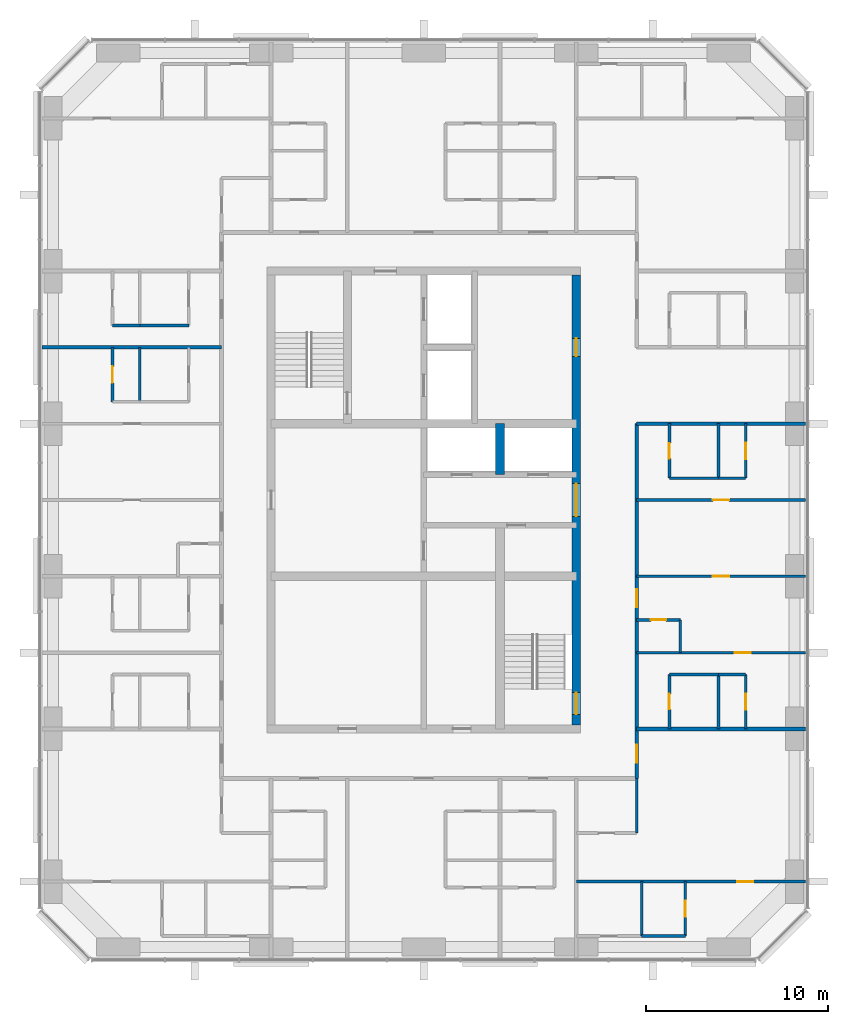
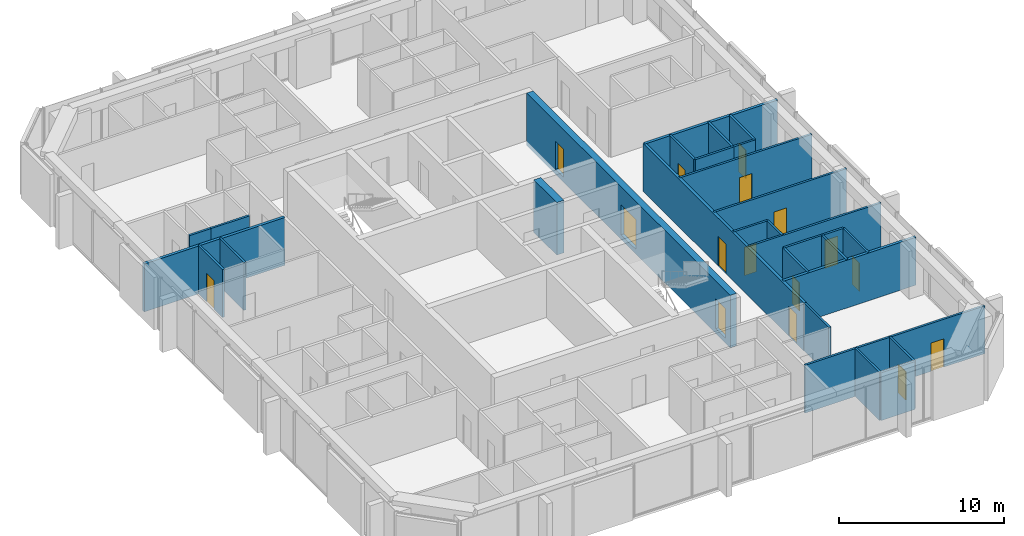
# One storey, part 9 of 12: 30 walls, 16 doors, 16 openings.
"""IFC4 building model written with IfcOpenShell, lengths in metres."""

from ifc_helpers import new_model, si_unit, direction, frame, frame_2d, origin, place, context, subcontext, project, spatial, rectangle, extrude, material, layer, layer_set, type_object, element, fill, save


model = new_model("IFC4")

# Units and contexts
model_context = context("Model", 3, precision=1e-05, world=origin(), true_north=direction((0.0, 1.0)))
body_context = subcontext(model_context, "Body", "Model", "MODEL_VIEW")
ifc_project = project(units=[si_unit("LENGTHUNIT", "METRE"), si_unit("AREAUNIT", "SQUARE_METRE"), si_unit("VOLUMEUNIT", "CUBIC_METRE"), si_unit("PLANEANGLEUNIT", "RADIAN"), si_unit("MASSUNIT", "GRAM", prefix="KILO")], contexts=[model_context])

# Site, building, storey
site_placement = place(None, origin())
site = spatial("IfcSite", under=ifc_project, at=site_placement, CompositionType="ELEMENT")
building_placement = place(site_placement, origin())
building = spatial("IfcBuilding", under=site, at=building_placement, Name="Dunama Terrace Hotel", CompositionType="ELEMENT")
storey_placement = place(building_placement, frame((0.0, 0.0, 264.60009765625)))
storey = spatial("IfcBuildingStorey", under=building, at=storey_placement, Name="L68", CompositionType="ELEMENT", Elevation=264.60009765625)

# Wall
ifc_material_1 = material(Name="Gypsum board partition", Category="masonry")
ifc_layer_1 = layer(ifc_material_1, 0.14990234375)
ifc_layer_set_1 = layer_set([ifc_layer_1], Name="Bathroom partition 150")
wall_type_1 = type_object("IfcWallType", Name="Bathroom partition 150", PredefinedType="PARTITIONING", material=ifc_layer_set_1)
wall_1_placement = place(storey_placement, frame((45.324951171875, 11.074951171875, 0.0), z_axis=(0.0, 0.0, 1.0), x_axis=(0.0, 1.0, 0.0)))
element("IfcWall", 1, at=wall_1_placement, inside=storey, type_object=wall_type_1, Name="Bathroom partition 150 L68", PredefinedType="PARTITIONING", context=body_context, shape_type="SweptSolid", body=[
    extrude(rectangle(XDim=3.0, YDim=0.14990234375, at=frame_2d((1.5, 0.0))), origin(), (0.0, 0.0, 1.0), 3.5498046875),
])

# Wall, opening, door
wall_2_placement = place(storey_placement, frame((47.125, 16.800048828125, 0.0), z_axis=(0.0, 0.0, 1.0), x_axis=(0.0, 1.0, 0.0)))
wall_2 = element("IfcWall", 2, at=wall_2_placement, inside=storey, type_object=wall_type_1, Name="Bathroom partition 150 L68", PredefinedType="PARTITIONING", context=body_context, shape_type="SweptSolid", body=[
    extrude(rectangle(XDim=3.0, YDim=0.14990234375, at=frame_2d((1.5, 0.0))), origin(), (0.0, 0.0, 1.0), 3.5498046875),
])
opening_1_placement = place(wall_2_placement, frame((1.074951171875, 0.0, 0.0)))
opening_1 = element("IfcOpeningElement", 3, at=opening_1_placement, cuts=wall_2, Name="Opening L68-70-019", PredefinedType="OPENING", context=body_context, shape_type="SweptSolid", body=[
    extrude(rectangle(XDim=0.85009765625, YDim=2.10009765625, at=frame_2d((0.425048828125, 1.050048828125))), frame((0.0, 0.0849609375, 0.0), z_axis=(0.0, -1.0, 0.0), x_axis=(1.0, 0.0, 0.0)), (0.0, 0.0, 1.0), 0.169921875),
])
ifc_material_2 = material(Name="Timber door with steel frame", Category="steel")
door_type_1 = type_object("IfcDoorType", Name="Bathroom door 850", OperationType="SINGLE_SWING_LEFT", PredefinedType="DOOR", material=ifc_material_2)
door_1_placement = place(opening_1_placement, frame((0.85009765625, 0.0, 0.0), z_axis=(0.0, 0.0, 1.0), x_axis=(-1.0, 0.0, 0.0)))
door_1 = element("IfcDoor", 4, at=door_1_placement, inside=storey, type_object=door_type_1, Name="Door to en-suite bathroom L68-70-019, type D2", OperationType="SINGLE_SWING_RIGHT", OverallHeight=2.10009765625, OverallWidth=0.85009765625, PredefinedType="DOOR", context=body_context, shape_type="SweptSolid", body=[
    extrude(rectangle(XDim=0.85009765625, YDim=2.10009765625, at=frame_2d((0.425048828125, 1.050048828125))), frame((0.0, 0.025146484375, 0.0), z_axis=(0.0, -1.0, 0.0), x_axis=(1.0, 0.0, 0.0)), (0.0, 0.0, 1.0), 0.050048828125),
])
fill(opening_1, door_1)

wall_3_placement = place(storey_placement, frame((47.125, 30.60009765625, 0.0), z_axis=(0.0, 0.0, 1.0), x_axis=(0.0, 1.0, 0.0)))
wall_3 = element("IfcWall", 5, at=wall_3_placement, inside=storey, type_object=wall_type_1, Name="Bathroom partition 150 L68", PredefinedType="PARTITIONING", context=body_context, shape_type="SweptSolid", body=[
    extrude(rectangle(XDim=3.0, YDim=0.14990234375, at=frame_2d((1.5, 0.0))), origin(), (0.0, 0.0, 1.0), 3.5498046875),
])
opening_2_placement = place(wall_3_placement, frame((1.074951171875, 0.0, 0.0)))
opening_2 = element("IfcOpeningElement", 6, at=opening_2_placement, cuts=wall_3, Name="Opening L68-70-023", PredefinedType="OPENING", context=body_context, shape_type="SweptSolid", body=[
    extrude(rectangle(XDim=0.85009765625, YDim=2.10009765625, at=frame_2d((0.425048828125, 1.050048828125))), frame((0.0, 0.0849609375, 0.0), z_axis=(0.0, -1.0, 0.0), x_axis=(1.0, 0.0, 0.0)), (0.0, 0.0, 1.0), 0.169921875),
])
door_2_placement = place(opening_2_placement, frame((0.85009765625, 0.0, 0.0), z_axis=(0.0, 0.0, 1.0), x_axis=(-1.0, 0.0, 0.0)))
door_2 = element("IfcDoor", 7, at=door_2_placement, inside=storey, type_object=door_type_1, Name="Door to en-suite bathroom L68-70-023, type D2", OperationType="SINGLE_SWING_LEFT", OverallHeight=2.10009765625, OverallWidth=0.85009765625, PredefinedType="DOOR", context=body_context, shape_type="SweptSolid", body=[
    extrude(rectangle(XDim=0.85009765625, YDim=2.10009765625, at=frame_2d((0.425048828125, 1.050048828125))), frame((0.0, 0.025146484375, 0.0), z_axis=(0.0, -1.0, 0.0), x_axis=(1.0, 0.0, 0.0)), (0.0, 0.0, 1.0), 0.050048828125),
])
fill(opening_2, door_2)

# Walls
wall_4_placement = place(storey_placement, frame((47.72509765625, 21.0, 0.0), z_axis=(0.0, 0.0, 1.0), x_axis=(0.0, 1.0, 0.0)))
element("IfcWall", 8, at=wall_4_placement, inside=storey, type_object=wall_type_1, Name="Bathroom partition 150 L68", PredefinedType="PARTITIONING", context=body_context, shape_type="SweptSolid", body=[
    extrude(rectangle(XDim=1.800048828125, YDim=0.14990234375, at=frame_2d((0.89990234375, 0.0))), origin(), (0.0, 0.0, 1.0), 3.5498046875),
])
wall_5_placement = place(storey_placement, frame((47.125, 19.800048828125, 0.0), z_axis=(0.0, 0.0, 1.0), x_axis=(1.0, 0.0, 0.0)))
element("IfcWall", 9, at=wall_5_placement, inside=storey, type_object=wall_type_1, Name="Bathroom partition 150 L68", PredefinedType="PARTITIONING", context=body_context, shape_type="SweptSolid", body=[
    extrude(rectangle(XDim=2.699951171875, YDim=0.14990234375, at=frame_2d((1.35009765625, 0.0))), origin(), (0.0, 0.0, 1.0), 3.5498046875),
])

# Wall, opening, door
wall_6_placement = place(storey_placement, frame((45.324951171875, 22.800048828125, 0.0), z_axis=(0.0, 0.0, 1.0), x_axis=(1.0, 0.0, 0.0)))
wall_6 = element("IfcWall", 10, at=wall_6_placement, inside=storey, type_object=wall_type_1, Name="Bathroom partition 150 L68", PredefinedType="PARTITIONING", context=body_context, shape_type="SweptSolid", body=[
    extrude(rectangle(XDim=2.400146484375, YDim=0.14990234375, at=frame_2d((1.2001953125, 0.0))), origin(), (0.0, 0.0, 1.0), 3.5498046875),
])
opening_3_placement = place(wall_6_placement, frame((0.77490234375, 0.0, 0.0)))
opening_3 = element("IfcOpeningElement", 11, at=opening_3_placement, cuts=wall_6, Name="Opening L68-70-017", PredefinedType="OPENING", context=body_context, shape_type="SweptSolid", body=[
    extrude(rectangle(XDim=0.85009765625, YDim=2.10009765625, at=frame_2d((0.425048828125, 1.050048828125))), frame((0.0, 0.0849609375, 0.0), z_axis=(0.0, -1.0, 0.0), x_axis=(1.0, 0.0, 0.0)), (0.0, 0.0, 1.0), 0.169921875),
])
door_3_placement = place(opening_3_placement, frame((0.85009765625, 0.0, 0.0), z_axis=(0.0, 0.0, 1.0), x_axis=(-1.0, 0.0, 0.0)))
door_3 = element("IfcDoor", 12, at=door_3_placement, inside=storey, type_object=door_type_1, Name="Door to powder room L68-70-017, type D2", OperationType="SINGLE_SWING_RIGHT", OverallHeight=2.10009765625, OverallWidth=0.85009765625, PredefinedType="DOOR", context=body_context, shape_type="SweptSolid", body=[
    extrude(rectangle(XDim=0.85009765625, YDim=2.10009765625, at=frame_2d((0.425048828125, 1.050048828125))), frame((0.0, 0.025146484375, 0.0), z_axis=(0.0, -1.0, 0.0), x_axis=(1.0, 0.0, 0.0)), (0.0, 0.0, 1.0), 0.050048828125),
])
fill(opening_3, door_3)

# Walls
for number, where, z_axis, x_axis, name in (
    (13, (47.125, 30.60009765625, 0.0), (0.0, 0.0, 1.0), (1.0, 0.0, 0.0), "Bathroom partition 150 L68"),
    (14, (17.97509765625, 39.0, 0.0), (0.0, 0.0, 1.0), (1.0, 0.0, 0.0), "Bathroom partition 150 L68"),
):
    element("IfcWall", number, at=place(storey_placement, frame(where, z_axis=z_axis, x_axis=x_axis)), inside=storey, type_object=wall_type_1, Name=name, PredefinedType="PARTITIONING", context=body_context, shape_type="SweptSolid", body=[
        extrude(rectangle(XDim=2.699951171875, YDim=0.14990234375, at=frame_2d((1.35009765625, 0.0))), origin(), (0.0, 0.0, 1.0), 3.5498046875),
    ])
ifc_material_3 = material(Name="Concrete C50/60", Category="concrete")
ifc_layer_2 = layer(ifc_material_3, 0.5)
ifc_layer_set_2 = layer_set([ifc_layer_2], Name="Core inner wall 500")
wall_type_2 = type_object("IfcWallType", Name="Core inner wall 500", PredefinedType="SHEAR", material=ifc_layer_set_2)
wall_7_placement = place(storey_placement, frame((37.800048828125, 30.800048828125, -0.35009765625), z_axis=(0.0, 0.0, 1.0), x_axis=(0.0, 1.0, 0.0)))
element("IfcWall", 15, at=wall_7_placement, inside=storey, type_object=wall_type_2, Name="Core inner wall 500 L68", PredefinedType="SHEAR", context=body_context, shape_type="SweptSolid", body=[
    extrude(rectangle(XDim=2.800048828125, YDim=0.5, at=frame_2d((1.39990234375, 0.0))), origin(), (0.0, 0.0, 1.0), 3.89990234375),
])

# Wall, openings, doors
ifc_material_4 = material(Name="Concrete C50/60", Category="concrete")
ifc_layer_3 = layer(ifc_material_4, 0.449951171875)
ifc_layer_set_3 = layer_set([ifc_layer_3], Name="Core wall 450")
wall_type_3 = type_object("IfcWallType", Name="Core wall 450", PredefinedType="SHEAR", material=ifc_layer_set_3)
wall_8_placement = place(storey_placement, frame((42.0, 17.02490234375, -0.35009765625), z_axis=(0.0, 0.0, 1.0), x_axis=(0.0, 1.0, 0.0)))
wall_8 = element("IfcWall", 16, at=wall_8_placement, inside=storey, type_object=wall_type_3, Name="Core wall east L68", PredefinedType="SHEAR", context=body_context, shape_type="SweptSolid", body=[
    extrude(rectangle(XDim=24.75, YDim=0.449951171875, at=frame_2d((12.375, 0.0))), origin(), (0.0, 0.0, 1.0), 3.89990234375),
])
opening_4_placement = place(wall_8_placement, frame((0.574951171875, 0.0, 0.35009765625)))
opening_4 = element("IfcOpeningElement", 17, at=opening_4_placement, cuts=wall_8, Name="Opening L68-70-002", PredefinedType="OPENING", context=body_context, shape_type="SweptSolid", body=[
    extrude(rectangle(XDim=1.199951171875, YDim=2.199951171875, at=frame_2d((0.60009765625, 1.10009765625))), frame((0.0, 0.23486328125, 0.0), z_axis=(0.0, -1.0, 0.0), x_axis=(1.0, 0.0, 0.0)), (0.0, 0.0, 1.0), 0.469970703125),
])
opening_5_placement = place(wall_8_placement, frame((11.47509765625, 0.0, 0.35009765625)))
opening_5 = element("IfcOpeningElement", 18, at=opening_5_placement, cuts=wall_8, Name="Opening L68-70-075", PredefinedType="OPENING", context=body_context, shape_type="SweptSolid", body=[
    extrude(rectangle(XDim=1.800048828125, YDim=2.199951171875, at=frame_2d((0.89990234375, 1.10009765625))), frame((0.0, 0.23486328125, 0.0), z_axis=(0.0, -1.0, 0.0), x_axis=(1.0, 0.0, 0.0)), (0.0, 0.0, 1.0), 0.469970703125),
])
opening_6_placement = place(wall_8_placement, frame((20.27490234375, 0.0, 0.35009765625)))
opening_6 = element("IfcOpeningElement", 19, at=opening_6_placement, cuts=wall_8, Name="Opening L68-70-077", PredefinedType="OPENING", context=body_context, shape_type="SweptSolid", body=[
    extrude(rectangle(XDim=1.0, YDim=2.10009765625, at=frame_2d((0.5, 1.050048828125))), frame((0.0, 0.23486328125, 0.0), z_axis=(0.0, -1.0, 0.0), x_axis=(1.0, 0.0, 0.0)), (0.0, 0.0, 1.0), 0.469970703125),
])
ifc_material_5 = material(Name="Timber door with steel frame", Category="steel")
door_type_2 = type_object("IfcDoorType", Name="Lift lobby double door 1800", OperationType="DOUBLE_DOOR_DOUBLE_SWING", PredefinedType="DOOR", material=ifc_material_5)
door_4_placement = place(opening_5_placement, origin())
door_4 = element("IfcDoor", 20, at=door_4_placement, inside=storey, type_object=door_type_2, Name="Door to lift lobby L68-70-075, type D3", OperationType="DOUBLE_DOOR_DOUBLE_SWING", OverallHeight=2.199951171875, OverallWidth=1.800048828125, PredefinedType="DOOR", context=body_context, shape_type="SweptSolid", body=[
    extrude(rectangle(XDim=1.800048828125, YDim=2.199951171875, at=frame_2d((0.89990234375, 1.10009765625))), frame((0.0, 0.02490234375, 0.0), z_axis=(0.0, -1.0, 0.0), x_axis=(1.0, 0.0, 0.0)), (0.0, 0.0, 1.0), 0.050048828125),
])
fill(opening_5, door_4)
ifc_material_6 = material(Name="Timber door with steel frame", Category="steel")
door_type_3 = type_object("IfcDoorType", Name="Service door 1000", OperationType="SINGLE_SWING_LEFT", PredefinedType="DOOR", material=ifc_material_6)
door_5_placement = place(opening_6_placement, origin())
door_5 = element("IfcDoor", 21, at=door_5_placement, inside=storey, type_object=door_type_3, Name="Door to housekeeping store L68-70-077, type D7", OperationType="SINGLE_SWING_RIGHT", OverallHeight=2.10009765625, OverallWidth=1.0, PredefinedType="DOOR", context=body_context, shape_type="SweptSolid", body=[
    extrude(rectangle(XDim=1.0, YDim=2.10009765625, at=frame_2d((0.5, 1.050048828125))), frame((0.0, 0.02490234375, 0.0), z_axis=(0.0, -1.0, 0.0), x_axis=(1.0, 0.0, 0.0)), (0.0, 0.0, 1.0), 0.050048828125),
])
fill(opening_6, door_5)
ifc_material_7 = material(Name="Timber door with steel frame", Category="steel")
door_type_4 = type_object("IfcDoorType", Name="Stair door 1200", OperationType="SINGLE_SWING_LEFT", PredefinedType="DOOR", material=ifc_material_7)
door_6_placement = place(opening_4_placement, origin())
door_6 = element("IfcDoor", 22, at=door_6_placement, inside=storey, type_object=door_type_4, Name="Stair door ST2 L68-70-002, type D5", OperationType="SINGLE_SWING_LEFT", OverallHeight=2.199951171875, OverallWidth=1.199951171875, PredefinedType="DOOR", context=body_context, shape_type="SweptSolid", body=[
    extrude(rectangle(XDim=1.199951171875, YDim=2.199951171875, at=frame_2d((0.60009765625, 1.10009765625))), frame((0.0, 0.02490234375, 0.0), z_axis=(0.0, -1.0, 0.0), x_axis=(1.0, 0.0, 0.0)), (0.0, 0.0, 1.0), 0.050048828125),
])
fill(opening_4, door_6)

ifc_material_8 = material(Name="Concrete blockwork", Category="masonry")
ifc_layer_4 = layer(ifc_material_8, 0.199951171875)
ifc_layer_set_4 = layer_set([ifc_layer_4], Name="Corridor partition 200")
wall_type_4 = type_object("IfcWallType", Name="Corridor partition 200", PredefinedType="PARTITIONING", material=ifc_layer_set_4)
wall_9_placement = place(storey_placement, frame((45.324951171875, 33.60009765625, 0.0), z_axis=(0.0, 0.0, 1.0), x_axis=(0.0, -1.0, 0.0)))
wall_9 = element("IfcWall", 23, at=wall_9_placement, inside=storey, type_object=wall_type_4, Name="Corridor partition 200 L68", PredefinedType="PARTITIONING", context=body_context, shape_type="SweptSolid", body=[
    extrude(rectangle(XDim=19.525146484375, YDim=0.199951171875, at=frame_2d((9.7626953125, 0.0))), origin(), (0.0, 0.0, 1.0), 3.5498046875),
])
opening_7_placement = place(wall_9_placement, frame((9.10009765625, 0.0, 0.0)))
opening_7 = element("IfcOpeningElement", 24, at=opening_7_placement, cuts=wall_9, Name="Opening L68-70-016", PredefinedType="OPENING", context=body_context, shape_type="SweptSolid", body=[
    extrude(rectangle(XDim=1.0, YDim=2.199951171875, at=frame_2d((0.5, 1.10009765625))), frame((0.0, 0.10986328125, 0.0), z_axis=(0.0, -1.0, 0.0), x_axis=(1.0, 0.0, 0.0)), (0.0, 0.0, 1.0), 0.219970703125),
])
opening_8_placement = place(wall_9_placement, frame((17.662109375, 0.0, 0.0)))
opening_8 = element("IfcOpeningElement", 25, at=opening_8_placement, cuts=wall_9, Name="Opening L68-70-057", PredefinedType="OPENING", context=body_context, shape_type="SweptSolid", body=[
    extrude(rectangle(XDim=1.0, YDim=2.199951171875, at=frame_2d((0.5, 1.10009765625))), frame((0.0, 0.10986328125, 0.0), z_axis=(0.0, -1.0, 0.0), x_axis=(1.0, 0.0, 0.0)), (0.0, 0.0, 1.0), 0.219970703125),
])
ifc_material_9 = material(Name="Timber door with steel frame", Category="steel")
door_type_5 = type_object("IfcDoorType", Name="Guest room door 1000", OperationType="SINGLE_SWING_LEFT", PredefinedType="DOOR", material=ifc_material_9)
door_7_placement = place(opening_7_placement, origin())
door_7 = element("IfcDoor", 26, at=door_7_placement, inside=storey, type_object=door_type_5, Name="Door to grand suite living room L68-70-016, type D1", OperationType="SINGLE_SWING_RIGHT", OverallHeight=2.199951171875, OverallWidth=1.0, PredefinedType="DOOR", context=body_context, shape_type="SweptSolid", body=[
    extrude(rectangle(XDim=1.0, YDim=2.199951171875, at=frame_2d((0.5, 1.10009765625))), frame((0.0, 0.02490234375, 0.0), z_axis=(0.0, -1.0, 0.0), x_axis=(1.0, 0.0, 0.0)), (0.0, 0.0, 1.0), 0.050048828125),
])
fill(opening_7, door_7)
door_8_placement = place(opening_8_placement, origin())
door_8 = element("IfcDoor", 27, at=door_8_placement, inside=storey, type_object=door_type_5, Name="Door to grand corner suite living room L68-70-057, type D1", OperationType="SINGLE_SWING_LEFT", OverallHeight=2.199951171875, OverallWidth=1.0, PredefinedType="DOOR", context=body_context, shape_type="SweptSolid", body=[
    extrude(rectangle(XDim=1.0, YDim=2.199951171875, at=frame_2d((0.5, 1.10009765625))), frame((0.0, 0.02490234375, 0.0), z_axis=(0.0, -1.0, 0.0), x_axis=(1.0, 0.0, 0.0)), (0.0, 0.0, 1.0), 0.050048828125),
])
fill(opening_8, door_8)

# Walls
wall_10_placement = place(storey_placement, frame((54.617919921875, 33.60009765625, 0.0), z_axis=(0.0, 0.0, 1.0), x_axis=(-1.0, 0.0, 0.0)))
element("IfcWall", 28, at=wall_10_placement, inside=storey, type_object=wall_type_4, Name="Corridor partition 200 L68", PredefinedType="PARTITIONING", context=body_context, shape_type="SweptSolid", body=[
    extrude(rectangle(XDim=9.29296875, YDim=0.199951171875, at=frame_2d((4.646484375, 0.0))), origin(), (0.0, 0.0, 1.0), 3.5498046875),
])
ifc_material_10 = material(Name="Concrete blockwork", Category="masonry")
ifc_layer_5 = layer(ifc_material_10, 0.199951171875)
ifc_layer_set_5 = layer_set([ifc_layer_5], Name="Party wall 200")
wall_type_5 = type_object("IfcWallType", Name="Party wall 200", PredefinedType="PARTITIONING", material=ifc_layer_set_5)
wall_11_placement = place(storey_placement, frame((45.324951171875, 16.800048828125, 0.0), z_axis=(0.0, 0.0, 1.0), x_axis=(1.0, 0.0, 0.0)))
element("IfcWall", 29, at=wall_11_placement, inside=storey, type_object=wall_type_5, Name="Party wall 200 L68", PredefinedType="PARTITIONING", context=body_context, shape_type="SweptSolid", body=[
    extrude(rectangle(XDim=9.29296875, YDim=0.199951171875, at=frame_2d((4.646484375, 0.0))), origin(), (0.0, 0.0, 1.0), 3.5498046875),
])
wall_12_placement = place(storey_placement, frame((12.58203125, 37.800048828125, 0.0), z_axis=(0.0, 0.0, 1.0), x_axis=(1.0, 0.0, 0.0)))
element("IfcWall", 30, at=wall_12_placement, inside=storey, type_object=wall_type_5, Name="Party wall 200 L68", PredefinedType="PARTITIONING", context=body_context, shape_type="SweptSolid", body=[
    extrude(rectangle(XDim=9.89306640625, YDim=0.199951171875, at=frame_2d((4.946533203125, 0.0))), origin(), (0.0, 0.0, 1.0), 3.5498046875),
])

# Wall, opening, door
ifc_material_11 = material(Name="Gypsum board partition", Category="masonry")
ifc_layer_6 = layer(ifc_material_11, 0.14990234375)
ifc_layer_set_6 = layer_set([ifc_layer_6], Name="Room partition 150")
wall_type_6 = type_object("IfcWallType", Name="Room partition 150", PredefinedType="PARTITIONING", material=ifc_layer_set_6)
wall_13_placement = place(storey_placement, frame((16.47509765625, 34.800048828125, 0.0), z_axis=(0.0, 0.0, 1.0), x_axis=(0.0, 1.0, 0.0)))
wall_13 = element("IfcWall", 31, at=wall_13_placement, inside=storey, type_object=wall_type_6, Name="Room partition 150 L68", PredefinedType="PARTITIONING", context=body_context, shape_type="SweptSolid", body=[
    extrude(rectangle(XDim=3.0, YDim=0.14990234375, at=frame_2d((1.5, 0.0))), origin(), (0.0, 0.0, 1.0), 3.5498046875),
])
opening_9_placement = place(wall_13_placement, frame((1.050048828125, 0.0, 0.0)))
opening_9 = element("IfcOpeningElement", 32, at=opening_9_placement, cuts=wall_13, Name="Opening L68-70-048", PredefinedType="OPENING", context=body_context, shape_type="SweptSolid", body=[
    extrude(rectangle(XDim=0.89990234375, YDim=2.10009765625, at=frame_2d((0.449951171875, 1.050048828125))), frame((0.0, 0.0849609375, 0.0), z_axis=(0.0, -1.0, 0.0), x_axis=(1.0, 0.0, 0.0)), (0.0, 0.0, 1.0), 0.169921875),
])
ifc_material_12 = material(Name="Timber door with steel frame", Category="steel")
door_type_6 = type_object("IfcDoorType", Name="Suite internal door 900", OperationType="SINGLE_SWING_LEFT", PredefinedType="DOOR", material=ifc_material_12)
door_9_placement = place(opening_9_placement, frame((0.89990234375, 0.0, 0.0), z_axis=(0.0, 0.0, 1.0), x_axis=(-1.0, 0.0, 0.0)))
door_9 = element("IfcDoor", 33, at=door_9_placement, inside=storey, type_object=door_type_6, Name="Door to walk-in wardrobe L68-70-048, type D16", OperationType="SINGLE_SWING_RIGHT", OverallHeight=2.10009765625, OverallWidth=0.89990234375, PredefinedType="DOOR", context=body_context, shape_type="SweptSolid", body=[
    extrude(rectangle(XDim=0.89990234375, YDim=2.10009765625, at=frame_2d((0.449951171875, 1.050048828125))), frame((0.0, 0.025146484375, 0.0), z_axis=(0.0, -1.0, 0.0), x_axis=(1.0, 0.0, 0.0)), (0.0, 0.0, 1.0), 0.050048828125),
])
fill(opening_9, door_9)

# Walls
for number, where, z_axis, x_axis, name in (
    (34, (17.97509765625, 34.800048828125, 0.0), (0.0, 0.0, 1.0), (0.0, 1.0, 0.0), "Room partition 150 L68"),
    (35, (45.60009765625, 5.39990234375, 0.0), (0.0, 0.0, 1.0), (0.0, 1.0, 0.0), "Room partition 150 L68"),
):
    element("IfcWall", number, at=place(storey_placement, frame(where, z_axis=z_axis, x_axis=x_axis)), inside=storey, type_object=wall_type_6, Name=name, PredefinedType="PARTITIONING", context=body_context, shape_type="SweptSolid", body=[
        extrude(rectangle(XDim=3.0, YDim=0.14990234375, at=frame_2d((1.5, 0.0))), origin(), (0.0, 0.0, 1.0), 3.5498046875),
    ])

# Wall, opening, door
wall_14_placement = place(storey_placement, frame((48.0, 5.39990234375, 0.0), z_axis=(0.0, 0.0, 1.0), x_axis=(0.0, 1.0, 0.0)))
wall_14 = element("IfcWall", 36, at=wall_14_placement, inside=storey, type_object=wall_type_6, Name="Room partition 150 L68", PredefinedType="PARTITIONING", context=body_context, shape_type="SweptSolid", body=[
    extrude(rectangle(XDim=3.0, YDim=0.14990234375, at=frame_2d((1.5, 0.0))), origin(), (0.0, 0.0, 1.0), 3.5498046875),
])
opening_10_placement = place(wall_14_placement, frame((1.050048828125, 0.0, 0.0)))
opening_10 = element("IfcOpeningElement", 37, at=opening_10_placement, cuts=wall_14, Name="Opening L68-70-061", PredefinedType="OPENING", context=body_context, shape_type="SweptSolid", body=[
    extrude(rectangle(XDim=0.89990234375, YDim=2.10009765625, at=frame_2d((0.449951171875, 1.050048828125))), frame((0.0, 0.0849609375, 0.0), z_axis=(0.0, -1.0, 0.0), x_axis=(1.0, 0.0, 0.0)), (0.0, 0.0, 1.0), 0.169921875),
])
door_10_placement = place(opening_10_placement, origin())
door_10 = element("IfcDoor", 38, at=door_10_placement, inside=storey, type_object=door_type_6, Name="Door to dressing room L68-70-061, type D16", OperationType="SINGLE_SWING_LEFT", OverallHeight=2.10009765625, OverallWidth=0.89990234375, PredefinedType="DOOR", context=body_context, shape_type="SweptSolid", body=[
    extrude(rectangle(XDim=0.89990234375, YDim=2.10009765625, at=frame_2d((0.449951171875, 1.050048828125))), frame((0.0, 0.02490234375, 0.0), z_axis=(0.0, -1.0, 0.0), x_axis=(1.0, 0.0, 0.0)), (0.0, 0.0, 1.0), 0.050048828125),
])
fill(opening_10, door_10)

# Walls
for number, where, z_axis, x_axis, name in (
    (39, (49.824951171875, 16.800048828125, 0.0), (0.0, 0.0, 1.0), (0.0, 1.0, 0.0), "Room partition 150 L68"),
    (40, (49.824951171875, 30.60009765625, 0.0), (0.0, 0.0, 1.0), (0.0, 1.0, 0.0), "Room partition 150 L68"),
):
    element("IfcWall", number, at=place(storey_placement, frame(where, z_axis=z_axis, x_axis=x_axis)), inside=storey, type_object=wall_type_6, Name=name, PredefinedType="PARTITIONING", context=body_context, shape_type="SweptSolid", body=[
        extrude(rectangle(XDim=3.0, YDim=0.14990234375, at=frame_2d((1.5, 0.0))), origin(), (0.0, 0.0, 1.0), 3.5498046875),
    ])

# Wall, opening, door
wall_15_placement = place(storey_placement, frame((51.324951171875, 16.800048828125, 0.0), z_axis=(0.0, 0.0, 1.0), x_axis=(0.0, 1.0, 0.0)))
wall_15 = element("IfcWall", 41, at=wall_15_placement, inside=storey, type_object=wall_type_6, Name="Room partition 150 L68", PredefinedType="PARTITIONING", context=body_context, shape_type="SweptSolid", body=[
    extrude(rectangle(XDim=3.0, YDim=0.14990234375, at=frame_2d((1.5, 0.0))), origin(), (0.0, 0.0, 1.0), 3.5498046875),
])
opening_11_placement = place(wall_15_placement, frame((1.050048828125, 0.0, 0.0)))
opening_11 = element("IfcOpeningElement", 42, at=opening_11_placement, cuts=wall_15, Name="Opening L68-70-020", PredefinedType="OPENING", context=body_context, shape_type="SweptSolid", body=[
    extrude(rectangle(XDim=0.89990234375, YDim=2.10009765625, at=frame_2d((0.449951171875, 1.050048828125))), frame((0.0, 0.0849609375, 0.0), z_axis=(0.0, -1.0, 0.0), x_axis=(1.0, 0.0, 0.0)), (0.0, 0.0, 1.0), 0.169921875),
])
door_11_placement = place(opening_11_placement, origin())
door_11 = element("IfcDoor", 43, at=door_11_placement, inside=storey, type_object=door_type_6, Name="Door to walk-in wardrobe L68-70-020, type D16", OperationType="SINGLE_SWING_LEFT", OverallHeight=2.10009765625, OverallWidth=0.89990234375, PredefinedType="DOOR", context=body_context, shape_type="SweptSolid", body=[
    extrude(rectangle(XDim=0.89990234375, YDim=2.10009765625, at=frame_2d((0.449951171875, 1.050048828125))), frame((0.0, 0.02490234375, 0.0), z_axis=(0.0, -1.0, 0.0), x_axis=(1.0, 0.0, 0.0)), (0.0, 0.0, 1.0), 0.050048828125),
])
fill(opening_11, door_11)

wall_16_placement = place(storey_placement, frame((51.324951171875, 30.60009765625, 0.0), z_axis=(0.0, 0.0, 1.0), x_axis=(0.0, 1.0, 0.0)))
wall_16 = element("IfcWall", 44, at=wall_16_placement, inside=storey, type_object=wall_type_6, Name="Room partition 150 L68", PredefinedType="PARTITIONING", context=body_context, shape_type="SweptSolid", body=[
    extrude(rectangle(XDim=3.0, YDim=0.14990234375, at=frame_2d((1.5, 0.0))), origin(), (0.0, 0.0, 1.0), 3.5498046875),
])
opening_12_placement = place(wall_16_placement, frame((1.050048828125, 0.0, 0.0)))
opening_12 = element("IfcOpeningElement", 45, at=opening_12_placement, cuts=wall_16, Name="Opening L68-70-024", PredefinedType="OPENING", context=body_context, shape_type="SweptSolid", body=[
    extrude(rectangle(XDim=0.89990234375, YDim=2.10009765625, at=frame_2d((0.449951171875, 1.050048828125))), frame((0.0, 0.0849609375, 0.0), z_axis=(0.0, -1.0, 0.0), x_axis=(1.0, 0.0, 0.0)), (0.0, 0.0, 1.0), 0.169921875),
])
door_12_placement = place(opening_12_placement, origin())
door_12 = element("IfcDoor", 46, at=door_12_placement, inside=storey, type_object=door_type_6, Name="Door to walk-in wardrobe L68-70-024, type D16", OperationType="SINGLE_SWING_LEFT", OverallHeight=2.10009765625, OverallWidth=0.89990234375, PredefinedType="DOOR", context=body_context, shape_type="SweptSolid", body=[
    extrude(rectangle(XDim=0.89990234375, YDim=2.10009765625, at=frame_2d((0.449951171875, 1.050048828125))), frame((0.0, 0.02490234375, 0.0), z_axis=(0.0, -1.0, 0.0), x_axis=(1.0, 0.0, 0.0)), (0.0, 0.0, 1.0), 0.050048828125),
])
fill(opening_12, door_12)

# Wall
wall_17_placement = place(storey_placement, frame((45.60009765625, 5.39990234375, 0.0), z_axis=(0.0, 0.0, 1.0), x_axis=(1.0, 0.0, 0.0)))
element("IfcWall", 47, at=wall_17_placement, inside=storey, type_object=wall_type_6, Name="Room partition 150 L68", PredefinedType="PARTITIONING", context=body_context, shape_type="SweptSolid", body=[
    extrude(rectangle(XDim=2.39990234375, YDim=0.14990234375, at=frame_2d((1.199951171875, 0.0))), origin(), (0.0, 0.0, 1.0), 3.5498046875),
])

# Wall, opening, door
wall_18_placement = place(storey_placement, frame((42.0, 8.39990234375, 0.0), z_axis=(0.0, 0.0, 1.0), x_axis=(1.0, 0.0, 0.0)))
wall_18 = element("IfcWall", 48, at=wall_18_placement, inside=storey, type_object=wall_type_6, Name="Room partition 150 L68", PredefinedType="PARTITIONING", context=body_context, shape_type="SweptSolid", body=[
    extrude(rectangle(XDim=12.617919921875, YDim=0.14990234375, at=frame_2d((6.30908203125, 0.0))), origin(), (0.0, 0.0, 1.0), 3.5498046875),
])
opening_13_placement = place(wall_18_placement, frame((8.85009765625, 0.0, 0.0)))
opening_13 = element("IfcOpeningElement", 49, at=opening_13_placement, cuts=wall_18, Name="Opening L68-70-059", PredefinedType="OPENING", context=body_context, shape_type="SweptSolid", body=[
    extrude(rectangle(XDim=0.89990234375, YDim=2.10009765625, at=frame_2d((0.449951171875, 1.050048828125))), frame((0.0, 0.0849609375, 0.0), z_axis=(0.0, -1.0, 0.0), x_axis=(1.0, 0.0, 0.0)), (0.0, 0.0, 1.0), 0.169921875),
])
door_13_placement = place(opening_13_placement, frame((0.89990234375, 0.0, 0.0), z_axis=(0.0, 0.0, 1.0), x_axis=(-1.0, 0.0, 0.0)))
door_13 = element("IfcDoor", 50, at=door_13_placement, inside=storey, type_object=door_type_6, Name="Door to grand corner suite bedroom L68-70-059, type D16", OperationType="SINGLE_SWING_LEFT", OverallHeight=2.10009765625, OverallWidth=0.89990234375, PredefinedType="DOOR", context=body_context, shape_type="SweptSolid", body=[
    extrude(rectangle(XDim=0.89990234375, YDim=2.10009765625, at=frame_2d((0.449951171875, 1.050048828125))), frame((0.0, 0.025146484375, 0.0), z_axis=(0.0, -1.0, 0.0), x_axis=(1.0, 0.0, 0.0)), (0.0, 0.0, 1.0), 0.050048828125),
])
fill(opening_13, door_13)

# Wall
wall_19_placement = place(storey_placement, frame((49.824951171875, 19.800048828125, 0.0), z_axis=(0.0, 0.0, 1.0), x_axis=(1.0, 0.0, 0.0)))
element("IfcWall", 51, at=wall_19_placement, inside=storey, type_object=wall_type_6, Name="Room partition 150 L68", PredefinedType="PARTITIONING", context=body_context, shape_type="SweptSolid", body=[
    extrude(rectangle(XDim=1.5, YDim=0.14990234375, at=frame_2d((0.75, 0.0))), origin(), (0.0, 0.0, 1.0), 3.5498046875),
])

# Wall, opening, door
wall_20_placement = place(storey_placement, frame((45.324951171875, 21.0, 0.0), z_axis=(0.0, 0.0, 1.0), x_axis=(1.0, 0.0, 0.0)))
wall_20 = element("IfcWall", 52, at=wall_20_placement, inside=storey, type_object=wall_type_6, Name="Room partition 150 L68", PredefinedType="PARTITIONING", context=body_context, shape_type="SweptSolid", body=[
    extrude(rectangle(XDim=9.29296875, YDim=0.14990234375, at=frame_2d((4.646484375, 0.0))), origin(), (0.0, 0.0, 1.0), 3.5498046875),
])
opening_14_placement = place(wall_20_placement, frame((5.386962890625, 0.0, 0.0)))
opening_14 = element("IfcOpeningElement", 53, at=opening_14_placement, cuts=wall_20, Name="Opening L68-70-018", PredefinedType="OPENING", context=body_context, shape_type="SweptSolid", body=[
    extrude(rectangle(XDim=0.89990234375, YDim=2.10009765625, at=frame_2d((0.449951171875, 1.050048828125))), frame((0.0, 0.0849609375, 0.0), z_axis=(0.0, -1.0, 0.0), x_axis=(1.0, 0.0, 0.0)), (0.0, 0.0, 1.0), 0.169921875),
])
door_14_placement = place(opening_14_placement, frame((0.89990234375, 0.0, 0.0), z_axis=(0.0, 0.0, 1.0), x_axis=(-1.0, 0.0, 0.0)))
door_14 = element("IfcDoor", 54, at=door_14_placement, inside=storey, type_object=door_type_6, Name="Door to grand suite bedroom L68-70-018, type D16", OperationType="SINGLE_SWING_RIGHT", OverallHeight=2.10009765625, OverallWidth=0.89990234375, PredefinedType="DOOR", context=body_context, shape_type="SweptSolid", body=[
    extrude(rectangle(XDim=0.89990234375, YDim=2.10009765625, at=frame_2d((0.449951171875, 1.050048828125))), frame((0.0, 0.025146484375, 0.0), z_axis=(0.0, -1.0, 0.0), x_axis=(1.0, 0.0, 0.0)), (0.0, 0.0, 1.0), 0.050048828125),
])
fill(opening_14, door_14)

wall_21_placement = place(storey_placement, frame((45.324951171875, 25.199951171875, 0.0), z_axis=(0.0, 0.0, 1.0), x_axis=(1.0, 0.0, 0.0)))
wall_21 = element("IfcWall", 55, at=wall_21_placement, inside=storey, type_object=wall_type_6, Name="Room partition 150 L68", PredefinedType="PARTITIONING", context=body_context, shape_type="SweptSolid", body=[
    extrude(rectangle(XDim=9.29296875, YDim=0.14990234375, at=frame_2d((4.646484375, 0.0))), origin(), (0.0, 0.0, 1.0), 3.5498046875),
])
opening_15_placement = place(wall_21_placement, frame((4.18798828125, 0.0, 0.0)))
opening_15 = element("IfcOpeningElement", 56, at=opening_15_placement, cuts=wall_21, Name="Opening L68-70-021", PredefinedType="OPENING", context=body_context, shape_type="SweptSolid", body=[
    extrude(rectangle(XDim=0.89990234375, YDim=2.10009765625, at=frame_2d((0.449951171875, 1.050048828125))), frame((0.0, 0.0849609375, 0.0), z_axis=(0.0, -1.0, 0.0), x_axis=(1.0, 0.0, 0.0)), (0.0, 0.0, 1.0), 0.169921875),
])
door_15_placement = place(opening_15_placement, frame((0.89990234375, 0.0, 0.0), z_axis=(0.0, 0.0, 1.0), x_axis=(-1.0, 0.0, 0.0)))
door_15 = element("IfcDoor", 57, at=door_15_placement, inside=storey, type_object=door_type_6, Name="Door to grand suite study L68-70-021, type D16", OperationType="SINGLE_SWING_RIGHT", OverallHeight=2.10009765625, OverallWidth=0.89990234375, PredefinedType="DOOR", context=body_context, shape_type="SweptSolid", body=[
    extrude(rectangle(XDim=0.89990234375, YDim=2.10009765625, at=frame_2d((0.449951171875, 1.050048828125))), frame((0.0, 0.025146484375, 0.0), z_axis=(0.0, -1.0, 0.0), x_axis=(1.0, 0.0, 0.0)), (0.0, 0.0, 1.0), 0.050048828125),
])
fill(opening_15, door_15)

wall_22_placement = place(storey_placement, frame((45.324951171875, 29.39990234375, 0.0), z_axis=(0.0, 0.0, 1.0), x_axis=(1.0, 0.0, 0.0)))
wall_22 = element("IfcWall", 58, at=wall_22_placement, inside=storey, type_object=wall_type_6, Name="Room partition 150 L68", PredefinedType="PARTITIONING", context=body_context, shape_type="SweptSolid", body=[
    extrude(rectangle(XDim=9.29296875, YDim=0.14990234375, at=frame_2d((4.646484375, 0.0))), origin(), (0.0, 0.0, 1.0), 3.5498046875),
])
opening_16_placement = place(wall_22_placement, frame((4.18798828125, 0.0, 0.0)))
opening_16 = element("IfcOpeningElement", 59, at=opening_16_placement, cuts=wall_22, Name="Opening L68-70-022", PredefinedType="OPENING", context=body_context, shape_type="SweptSolid", body=[
    extrude(rectangle(XDim=0.89990234375, YDim=2.10009765625, at=frame_2d((0.449951171875, 1.050048828125))), frame((0.0, 0.0849609375, 0.0), z_axis=(0.0, -1.0, 0.0), x_axis=(1.0, 0.0, 0.0)), (0.0, 0.0, 1.0), 0.169921875),
])
door_16_placement = place(opening_16_placement, origin())
door_16 = element("IfcDoor", 60, at=door_16_placement, inside=storey, type_object=door_type_6, Name="Door to grand suite second bedroom L68-70-022, type D16", OperationType="SINGLE_SWING_LEFT", OverallHeight=2.10009765625, OverallWidth=0.89990234375, PredefinedType="DOOR", context=body_context, shape_type="SweptSolid", body=[
    extrude(rectangle(XDim=0.89990234375, YDim=2.10009765625, at=frame_2d((0.449951171875, 1.050048828125))), frame((0.0, 0.02490234375, 0.0), z_axis=(0.0, -1.0, 0.0), x_axis=(1.0, 0.0, 0.0)), (0.0, 0.0, 1.0), 0.050048828125),
])
fill(opening_16, door_16)

# Walls
for number, where, z_axis, x_axis, name in (
    (61, (49.824951171875, 30.60009765625, 0.0), (0.0, 0.0, 1.0), (1.0, 0.0, 0.0), "Room partition 150 L68"),
    (62, (16.47509765625, 39.0, 0.0), (0.0, 0.0, 1.0), (1.0, 0.0, 0.0), "Room partition 150 L68"),
):
    element("IfcWall", number, at=place(storey_placement, frame(where, z_axis=z_axis, x_axis=x_axis)), inside=storey, type_object=wall_type_6, Name=name, PredefinedType="PARTITIONING", context=body_context, shape_type="SweptSolid", body=[
        extrude(rectangle(XDim=1.5, YDim=0.14990234375, at=frame_2d((0.75, 0.0))), origin(), (0.0, 0.0, 1.0), 3.5498046875),
    ])

save(model, "model.ifc")
